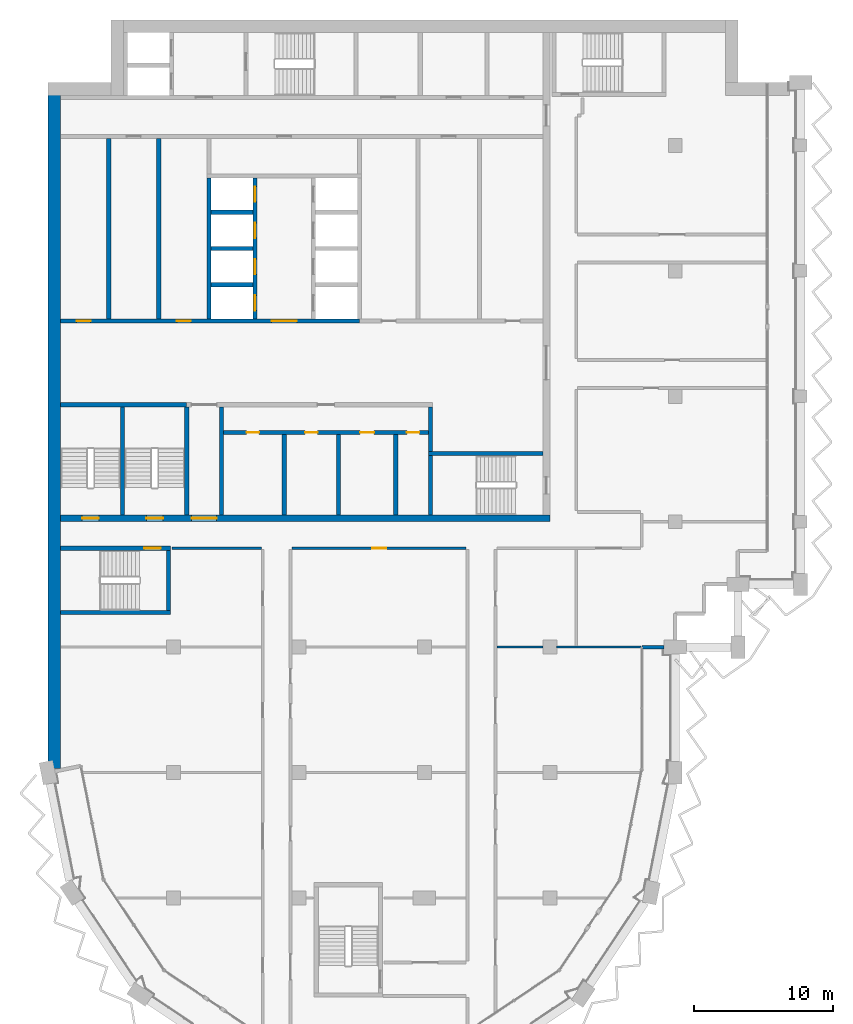
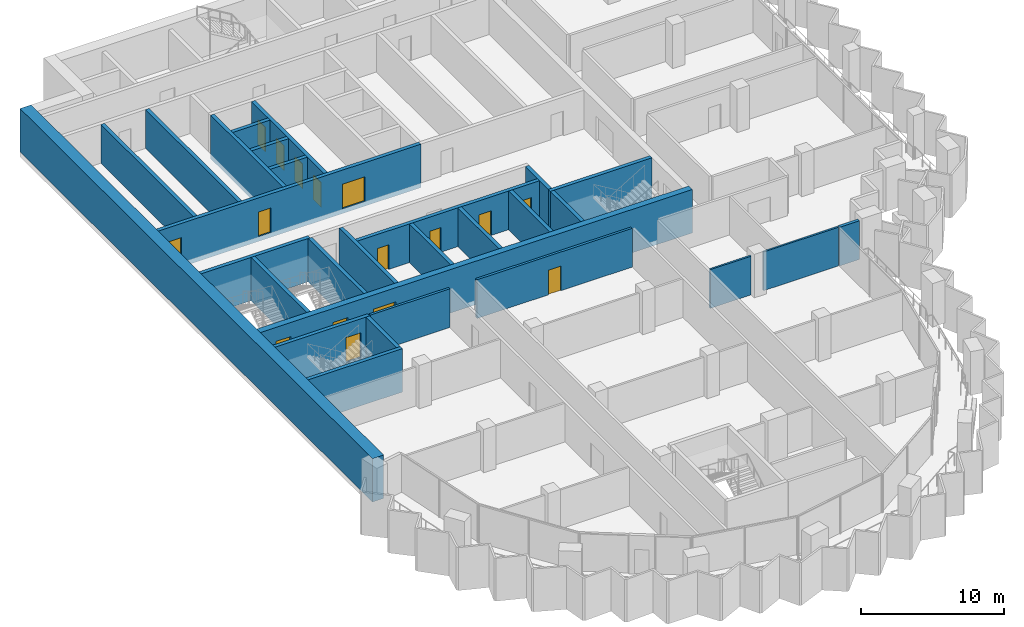
# One storey, part 8 of 16: 29 walls, 16 doors, 16 openings.
"""IFC4 building model written with IfcOpenShell, lengths in metres."""

from ifc_helpers import new_model, si_unit, direction, frame, frame_2d, origin, place, context, subcontext, project, spatial, rectangle, extrude, material, layer, layer_set, type_object, element, fill, save


model = new_model("IFC4")

# Units and contexts
model_context = context("Model", 3, precision=1e-05, world=origin(), true_north=direction((0.0, 1.0)))
body_context = subcontext(model_context, "Body", "Model", "MODEL_VIEW")
ifc_project = project(units=[si_unit("LENGTHUNIT", "METRE"), si_unit("AREAUNIT", "SQUARE_METRE"), si_unit("VOLUMEUNIT", "CUBIC_METRE"), si_unit("PLANEANGLEUNIT", "RADIAN"), si_unit("MASSUNIT", "GRAM", prefix="KILO")], contexts=[model_context])

# Site, building, storey
site_placement = place(None, origin())
site = spatial("IfcSite", under=ifc_project, at=site_placement, CompositionType="ELEMENT")
building_placement = place(site_placement, origin())
building = spatial("IfcBuilding", under=site, at=building_placement, Name="Hunhe Ridgeline Campus", CompositionType="ELEMENT")
storey_placement = place(building_placement, frame((0.0, 0.0, 246.60009765625)))
storey = spatial("IfcBuildingStorey", under=building, at=storey_placement, Name="L63", CompositionType="ELEMENT", Elevation=246.60009765625)

# Wall, openings, doors
ifc_material_1 = material(Name="Masonry concrete blockwork", Category="masonry")
ifc_layer_1 = layer(ifc_material_1, 0.300048828125)
ifc_layer_set_1 = layer_set([ifc_layer_1], Name="Core room partition 300 concrete block")
wall_type_1 = type_object("IfcWallType", Name="Core room partition 300 concrete block", PredefinedType="PARTITIONING", material=ifc_layer_set_1)
wall_1_placement = place(storey_placement, frame((12.60009765625, 69.39990234375, 0.0), z_axis=(0.0, 0.0, 1.0), x_axis=(1.0, 0.0, 0.0)))
wall_1 = element("IfcWall", 1, at=wall_1_placement, inside=storey, type_object=wall_type_1, Name="L63 core partition 7", PredefinedType="PARTITIONING", context=body_context, shape_type="SweptSolid", body=[
    extrude(rectangle(XDim=14.699951171875, YDim=0.300048828125, at=frame_2d((7.35009765625, 0.0))), origin(), (0.0, 0.0, 1.0), 3.2998046875),
])
opening_1_placement = place(wall_1_placement, frame((1.64990234375, 0.0, 0.0)))
opening_1 = element("IfcOpeningElement", 2, at=opening_1_placement, cuts=wall_1, Name="Opening CD8", PredefinedType="OPENING", context=body_context, shape_type="SweptSolid", body=[
    extrude(rectangle(XDim=0.89990234375, YDim=2.10009765625, at=frame_2d((0.449951171875, 1.050048828125))), frame((0.0, 0.14990234375, 0.0), z_axis=(0.0, -1.0, 0.0), x_axis=(1.0, 0.0, 0.0)), (0.0, 0.0, 1.0), 0.300048828125),
])
opening_2_placement = place(wall_1_placement, frame((5.85009765625, 0.0, 0.0)))
opening_2 = element("IfcOpeningElement", 3, at=opening_2_placement, cuts=wall_1, Name="Opening CD9", PredefinedType="OPENING", context=body_context, shape_type="SweptSolid", body=[
    extrude(rectangle(XDim=0.89990234375, YDim=2.10009765625, at=frame_2d((0.449951171875, 1.050048828125))), frame((0.0, 0.14990234375, 0.0), z_axis=(0.0, -1.0, 0.0), x_axis=(1.0, 0.0, 0.0)), (0.0, 0.0, 1.0), 0.300048828125),
])
opening_3_placement = place(wall_1_placement, frame((9.800048828125, 0.0, 0.0)))
opening_3 = element("IfcOpeningElement", 4, at=opening_3_placement, cuts=wall_1, Name="Opening CD10", PredefinedType="OPENING", context=body_context, shape_type="SweptSolid", body=[
    extrude(rectangle(XDim=1.0, YDim=2.10009765625, at=frame_2d((0.5, 1.050048828125))), frame((0.0, 0.14990234375, 0.0), z_axis=(0.0, -1.0, 0.0), x_axis=(1.0, 0.0, 0.0)), (0.0, 0.0, 1.0), 0.300048828125),
])
opening_4_placement = place(wall_1_placement, frame((13.14990234375, 0.0, 0.0)))
opening_4 = element("IfcOpeningElement", 5, at=opening_4_placement, cuts=wall_1, Name="Opening CD11", PredefinedType="OPENING", context=body_context, shape_type="SweptSolid", body=[
    extrude(rectangle(XDim=0.89990234375, YDim=2.10009765625, at=frame_2d((0.449951171875, 1.050048828125))), frame((0.0, 0.14990234375, 0.0), z_axis=(0.0, -1.0, 0.0), x_axis=(1.0, 0.0, 0.0)), (0.0, 0.0, 1.0), 0.300048828125),
])
ifc_material_2 = material(Name="Solid core timber door leaf", Category="wood")
door_type_1 = type_object("IfcDoorType", Name="Timber door 1000x2100", OperationType="SINGLE_SWING_LEFT", PredefinedType="DOOR", material=ifc_material_2)
door_1_placement = place(opening_3_placement, frame((1.0, 0.0, 0.0), z_axis=(0.0, 0.0, 1.0), x_axis=(-1.0, 0.0, 0.0)))
door_1 = element("IfcDoor", 6, at=door_1_placement, inside=storey, type_object=door_type_1, Name="L63 door WC3", OperationType="SINGLE_SWING_LEFT", OverallHeight=2.10009765625, OverallWidth=1.0, PredefinedType="DOOR", context=body_context, shape_type="SweptSolid", body=[
    extrude(rectangle(XDim=1.0, YDim=2.10009765625, at=frame_2d((0.5, 1.050048828125))), frame((0.0, 0.02490234375, 0.0), z_axis=(0.0, -1.0, 0.0), x_axis=(1.0, 0.0, 0.0)), (0.0, 0.0, 1.0), 0.050048828125),
])
fill(opening_3, door_1)
door_type_2 = type_object("IfcDoorType", Name="Timber door 900x2100", OperationType="SINGLE_SWING_LEFT", PredefinedType="DOOR", material=ifc_material_2)
door_2_placement = place(opening_1_placement, frame((0.89990234375, 0.0, 0.0), z_axis=(0.0, 0.0, 1.0), x_axis=(-1.0, 0.0, 0.0)))
door_2 = element("IfcDoor", 7, at=door_2_placement, inside=storey, type_object=door_type_2, Name="L63 door WC1", OperationType="SINGLE_SWING_LEFT", OverallHeight=2.10009765625, OverallWidth=0.89990234375, PredefinedType="DOOR", context=body_context, shape_type="SweptSolid", body=[
    extrude(rectangle(XDim=0.89990234375, YDim=2.10009765625, at=frame_2d((0.449951171875, 1.050048828125))), frame((0.0, 0.02490234375, 0.0), z_axis=(0.0, -1.0, 0.0), x_axis=(1.0, 0.0, 0.0)), (0.0, 0.0, 1.0), 0.050048828125),
])
fill(opening_1, door_2)
door_3_placement = place(opening_2_placement, frame((0.89990234375, 0.0, 0.0), z_axis=(0.0, 0.0, 1.0), x_axis=(-1.0, 0.0, 0.0)))
door_3 = element("IfcDoor", 8, at=door_3_placement, inside=storey, type_object=door_type_2, Name="L63 door WC2", OperationType="SINGLE_SWING_RIGHT", OverallHeight=2.10009765625, OverallWidth=0.89990234375, PredefinedType="DOOR", context=body_context, shape_type="SweptSolid", body=[
    extrude(rectangle(XDim=0.89990234375, YDim=2.10009765625, at=frame_2d((0.449951171875, 1.050048828125))), frame((0.0, 0.02490234375, 0.0), z_axis=(0.0, -1.0, 0.0), x_axis=(1.0, 0.0, 0.0)), (0.0, 0.0, 1.0), 0.050048828125),
])
fill(opening_2, door_3)
door_4_placement = place(opening_4_placement, frame((0.89990234375, 0.0, 0.0), z_axis=(0.0, 0.0, 1.0), x_axis=(-1.0, 0.0, 0.0)))
door_4 = element("IfcDoor", 9, at=door_4_placement, inside=storey, type_object=door_type_2, Name="L63 door WC4", OperationType="SINGLE_SWING_RIGHT", OverallHeight=2.10009765625, OverallWidth=0.89990234375, PredefinedType="DOOR", context=body_context, shape_type="SweptSolid", body=[
    extrude(rectangle(XDim=0.89990234375, YDim=2.10009765625, at=frame_2d((0.449951171875, 1.050048828125))), frame((0.0, 0.02490234375, 0.0), z_axis=(0.0, -1.0, 0.0), x_axis=(1.0, 0.0, 0.0)), (0.0, 0.0, 1.0), 0.050048828125),
])
fill(opening_4, door_4)

# Walls
for number, where, z_axis, x_axis, name in (
    (10, (4.35009765625, 77.550048828125, 0.0), (0.0, 0.0, 1.0), (0.0, 1.0, 0.0), "L63 core partition 23"),
    (11, (7.949951171875, 77.550048828125, 0.0), (0.0, 0.0, 1.0), (0.0, 1.0, 0.0), "L63 core partition 26"),
):
    element("IfcWall", number, at=place(storey_placement, frame(where, z_axis=z_axis, x_axis=x_axis)), inside=storey, type_object=wall_type_1, Name=name, PredefinedType="PARTITIONING", context=body_context, shape_type="SweptSolid", body=[
        extrude(rectangle(XDim=12.949951171875, YDim=0.300048828125, at=frame_2d((6.47509765625, 0.0))), origin(), (0.0, 0.0, 1.0), 3.2998046875),
    ])
wall_2_placement = place(storey_placement, frame((12.449951171875, 63.5, 0.0), z_axis=(0.0, 0.0, 1.0), x_axis=(0.0, 1.0, 0.0)))
element("IfcWall", 12, at=wall_2_placement, inside=storey, type_object=wall_type_1, Name="L63 core partition 32", PredefinedType="PARTITIONING", context=body_context, shape_type="SweptSolid", body=[
    extrude(rectangle(XDim=7.75, YDim=0.300048828125, at=frame_2d((3.875, 0.0))), origin(), (0.0, 0.0, 1.0), 3.2998046875),
])
for number, where, z_axis, x_axis, name in (
    (13, (16.949951171875, 63.5, 0.0), (0.0, 0.0, 1.0), (0.0, 1.0, 0.0), "L63 core partition 35"),
    (14, (20.85009765625, 63.5, 0.0), (0.0, 0.0, 1.0), (0.0, 1.0, 0.0), "L63 core partition 38"),
    (15, (24.949951171875, 63.5, 0.0), (0.0, 0.0, 1.0), (0.0, 1.0, 0.0), "L63 core partition 43"),
):
    element("IfcWall", number, at=place(storey_placement, frame(where, z_axis=z_axis, x_axis=x_axis)), inside=storey, type_object=wall_type_1, Name=name, PredefinedType="PARTITIONING", context=body_context, shape_type="SweptSolid", body=[
        extrude(rectangle(XDim=5.75, YDim=0.300048828125, at=frame_2d((2.875, 0.0))), origin(), (0.0, 0.0, 1.0), 3.2998046875),
    ])
wall_3_placement = place(storey_placement, frame((27.449951171875, 68.050048828125, 0.0), z_axis=(0.0, 0.0, 1.0), x_axis=(0.0, 1.0, 0.0)))
element("IfcWall", 16, at=wall_3_placement, inside=storey, type_object=wall_type_1, Name="L63 core partition 47", PredefinedType="PARTITIONING", context=body_context, shape_type="SweptSolid", body=[
    extrude(rectangle(XDim=3.199951171875, YDim=0.300048828125, at=frame_2d((1.60009765625, 0.0))), origin(), (0.0, 0.0, 1.0), 3.2998046875),
])

# Wall, openings, doors
ifc_material_3 = material(Name="Concrete C50", Category="concrete")
ifc_layer_2 = layer(ifc_material_3, 0.5)
ifc_layer_set_2 = layer_set([ifc_layer_2], Name="Core wall 500 reinforced concrete C50")
wall_type_2 = type_object("IfcWallType", Name="Core wall 500 reinforced concrete C50", PredefinedType="SOLIDWALL", material=ifc_layer_set_2)
wall_4_placement = place(storey_placement, frame((0.89990234375, 63.25, -0.400146484375), z_axis=(0.0, 0.0, 1.0), x_axis=(1.0, 0.0, 0.0)))
wall_4 = element("IfcWall", 17, at=wall_4_placement, inside=storey, type_object=wall_type_2, Name="L63 core wall 5", PredefinedType="SOLIDWALL", context=body_context, shape_type="SweptSolid", body=[
    extrude(rectangle(XDim=35.10009765625, YDim=0.5, at=frame_2d((17.550048828125, 0.0))), origin(), (0.0, 0.0, 1.0), 3.699951171875),
])
opening_5_placement = place(wall_4_placement, frame((9.39990234375, 0.0, 0.39990234375)))
opening_5 = element("IfcOpeningElement", 18, at=opening_5_placement, cuts=wall_4, Name="Opening CD6", PredefinedType="OPENING", context=body_context, shape_type="SweptSolid", body=[
    extrude(rectangle(XDim=1.800048828125, YDim=2.10009765625, at=frame_2d((0.89990234375, 1.050048828125))), frame((0.0, 0.25, 0.0), z_axis=(0.0, -1.0, 0.0), x_axis=(1.0, 0.0, 0.0)), (0.0, 0.0, 1.0), 0.5),
])
opening_6_placement = place(wall_4_placement, frame((1.550048828125, 0.0, 0.39990234375)))
opening_6 = element("IfcOpeningElement", 19, at=opening_6_placement, cuts=wall_4, Name="Opening CD13", PredefinedType="OPENING", context=body_context, shape_type="SweptSolid", body=[
    extrude(rectangle(XDim=1.199951171875, YDim=2.10009765625, at=frame_2d((0.60009765625, 1.050048828125))), frame((0.0, 0.25, 0.0), z_axis=(0.0, -1.0, 0.0), x_axis=(1.0, 0.0, 0.0)), (0.0, 0.0, 1.0), 0.5),
])
opening_7_placement = place(wall_4_placement, frame((6.14990234375, 0.0, 0.39990234375)))
opening_7 = element("IfcOpeningElement", 20, at=opening_7_placement, cuts=wall_4, Name="Opening CD14", PredefinedType="OPENING", context=body_context, shape_type="SweptSolid", body=[
    extrude(rectangle(XDim=1.199951171875, YDim=2.10009765625, at=frame_2d((0.60009765625, 1.050048828125))), frame((0.0, 0.25, 0.0), z_axis=(0.0, -1.0, 0.0), x_axis=(1.0, 0.0, 0.0)), (0.0, 0.0, 1.0), 0.5),
])
ifc_material_4 = material(Name="Anodised aluminium and glass", Category="aluminium")
door_type_3 = type_object("IfcDoorType", Name="Glazed double door 1800x2100", OperationType="DOUBLE_DOOR_SINGLE_SWING", PredefinedType="DOOR", material=ifc_material_4)
door_5_placement = place(opening_5_placement, frame((1.800048828125, 0.0, 0.0), z_axis=(0.0, 0.0, 1.0), x_axis=(-1.0, 0.0, 0.0)))
door_5 = element("IfcDoor", 21, at=door_5_placement, inside=storey, type_object=door_type_3, Name="L63 door VEST-FLOOR", OperationType="DOUBLE_DOOR_SINGLE_SWING", OverallHeight=2.10009765625, OverallWidth=1.800048828125, PredefinedType="DOOR", context=body_context, shape_type="SweptSolid", body=[
    extrude(rectangle(XDim=1.800048828125, YDim=2.10009765625, at=frame_2d((0.89990234375, 1.050048828125))), frame((0.0, 0.02490234375, 0.0), z_axis=(0.0, -1.0, 0.0), x_axis=(1.0, 0.0, 0.0)), (0.0, 0.0, 1.0), 0.050048828125),
])
fill(opening_5, door_5)
ifc_material_5 = material(Name="Hollow metal fire door leaf")
door_type_4 = type_object("IfcDoorType", Name="Stair door 1200x2100 FD60", OperationType="SINGLE_SWING_LEFT", PredefinedType="DOOR", material=ifc_material_5)
door_6_placement = place(opening_6_placement, frame((1.199951171875, 0.0, 0.0), z_axis=(0.0, 0.0, 1.0), x_axis=(-1.0, 0.0, 0.0)))
door_6 = element("IfcDoor", 22, at=door_6_placement, inside=storey, type_object=door_type_4, Name="L63 door S3", OperationType="SINGLE_SWING_LEFT", OverallHeight=2.10009765625, OverallWidth=1.199951171875, PredefinedType="DOOR", context=body_context, shape_type="SweptSolid", body=[
    extrude(rectangle(XDim=1.199951171875, YDim=2.10009765625, at=frame_2d((0.60009765625, 1.050048828125))), frame((0.0, 0.02490234375, 0.0), z_axis=(0.0, -1.0, 0.0), x_axis=(1.0, 0.0, 0.0)), (0.0, 0.0, 1.0), 0.050048828125),
])
fill(opening_6, door_6)
door_7_placement = place(opening_7_placement, frame((1.199951171875, 0.0, 0.0), z_axis=(0.0, 0.0, 1.0), x_axis=(-1.0, 0.0, 0.0)))
door_7 = element("IfcDoor", 23, at=door_7_placement, inside=storey, type_object=door_type_4, Name="L63 door S4", OperationType="SINGLE_SWING_RIGHT", OverallHeight=2.10009765625, OverallWidth=1.199951171875, PredefinedType="DOOR", context=body_context, shape_type="SweptSolid", body=[
    extrude(rectangle(XDim=1.199951171875, YDim=2.10009765625, at=frame_2d((0.60009765625, 1.050048828125))), frame((0.0, 0.02490234375, 0.0), z_axis=(0.0, -1.0, 0.0), x_axis=(1.0, 0.0, 0.0)), (0.0, 0.0, 1.0), 0.050048828125),
])
fill(opening_7, door_7)

# Walls
ifc_material_6 = material(Name="Concrete C30", Category="concrete")
ifc_layer_3 = layer(ifc_material_6, 0.25)
ifc_layer_set_3 = layer_set([ifc_layer_3], Name="Corner return wall 250 Concrete C30")
wall_type_3 = type_object("IfcWallType", Name="Corner return wall 250 Concrete C30", PredefinedType="SOLIDWALL", material=ifc_layer_set_3)
wall_5_placement = place(storey_placement, frame((42.59912109375, 54.00048828125, 0.0), z_axis=(0.0, 0.0, 1.0), x_axis=(0.999999988371, 0.000152508767, 0.0)))
element("IfcWall", 24, at=wall_5_placement, inside=storey, type_object=wall_type_3, Name="Corner return wall 2", PredefinedType="SOLIDWALL", context=body_context, shape_type="SweptSolid", body=[
    extrude(rectangle(XDim=1.600830078125, YDim=0.25, at=frame_2d((0.80029296875, 0.0))), origin(), (0.0, 0.0, 1.0), 3.2998046875),
])
ifc_material_7 = material(Name="Gypsum board partition")
ifc_layer_4 = layer(ifc_material_7, 0.199951171875)
ifc_layer_set_4 = layer_set([ifc_layer_4], Name="Corridor partition 200 gypsum board on steel studs")
wall_type_4 = type_object("IfcWallType", Name="Corridor partition 200 gypsum board on steel studs", PredefinedType="PARTITIONING", material=ifc_layer_set_4)
wall_6_placement = place(storey_placement, frame((15.300048828125, 61.10009765625, 0.0), z_axis=(0.0, 0.0, 1.0), x_axis=(-1.0, 0.0, 0.0)))
element("IfcWall", 25, at=wall_6_placement, inside=storey, type_object=wall_type_4, Name="F-L63-wall-022", PredefinedType="PARTITIONING", context=body_context, shape_type="SweptSolid", body=[
    extrude(rectangle(XDim=6.39599609375, YDim=0.199951171875, at=frame_2d((3.197998046875, 0.0))), origin(), (0.0, 0.0, 1.0), 3.2998046875),
])

# Wall, opening, door
wall_7_placement = place(storey_placement, frame((30.0, 61.10009765625, 0.0), z_axis=(0.0, 0.0, 1.0), x_axis=(-1.0, 0.0, 0.0)))
wall_7 = element("IfcWall", 26, at=wall_7_placement, inside=storey, type_object=wall_type_4, Name="F-L63-wall-023", PredefinedType="PARTITIONING", context=body_context, shape_type="SweptSolid", body=[
    extrude(rectangle(XDim=12.5, YDim=0.199951171875, at=frame_2d((6.25, 0.0))), origin(), (0.0, 0.0, 1.0), 3.2998046875),
])
opening_8_placement = place(wall_7_placement, frame((5.75, 0.0, 0.0)))
opening_8 = element("IfcOpeningElement", 27, at=opening_8_placement, cuts=wall_7, Name="Opening RD1-015", PredefinedType="OPENING", context=body_context, shape_type="SweptSolid", body=[
    extrude(rectangle(XDim=1.0, YDim=2.10009765625, at=frame_2d((0.5, 1.050048828125))), frame((0.0, 0.10009765625, 0.0), z_axis=(0.0, -1.0, 0.0), x_axis=(1.0, 0.0, 0.0)), (0.0, 0.0, 1.0), 0.199951171875),
])
ifc_material_8 = material(Name="Timber door leaf", Category="wood")
door_type_5 = type_object("IfcDoorType", Name="Single fire door 1000x2100 timber FD60", OperationType="NOTDEFINED", PredefinedType="DOOR", material=ifc_material_8)
door_8_placement = place(opening_8_placement, origin())
door_8 = element("IfcDoor", 28, at=door_8_placement, inside=storey, type_object=door_type_5, Name="F-L63-door-015", OperationType="SINGLE_SWING_LEFT", OverallHeight=2.10009765625, OverallWidth=1.0, PredefinedType="DOOR", context=body_context, shape_type="SweptSolid", body=[
    extrude(rectangle(XDim=1.0, YDim=2.10009765625, at=frame_2d((0.5, 1.050048828125))), frame((0.0, 0.02490234375, 0.0), z_axis=(0.0, -1.0, 0.0), x_axis=(1.0, 0.0, 0.0)), (0.0, 0.0, 1.0), 0.050048828125),
])
fill(opening_8, door_8)

# Walls
ifc_layer_5 = layer(ifc_material_7, 0.14990234375)
ifc_layer_set_5 = layer_set([ifc_layer_5], Name="Room partition 150 gypsum board on steel studs")
wall_type_5 = type_object("IfcWallType", Name="Room partition 150 gypsum board on steel studs", PredefinedType="PARTITIONING", material=ifc_layer_set_5)
wall_8_placement = place(storey_placement, frame((32.199951171875, 54.0, 0.0), z_axis=(0.0, 0.0, 1.0), x_axis=(1.0, 0.0, 0.0)))
element("IfcWall", 29, at=wall_8_placement, inside=storey, type_object=wall_type_5, Name="F-L63-wall-020", PredefinedType="PARTITIONING", context=body_context, shape_type="SweptSolid", body=[
    extrude(rectangle(XDim=3.300048828125, YDim=0.14990234375, at=frame_2d((1.64990234375, 0.0))), origin(), (0.0, 0.0, 1.0), 3.2998046875),
])
wall_9_placement = place(storey_placement, frame((36.5, 54.0, 0.0), z_axis=(0.0, 0.0, 1.0), x_axis=(1.0, 0.0, 0.0)))
element("IfcWall", 30, at=wall_9_placement, inside=storey, type_object=wall_type_5, Name="F-L63-wall-021", PredefinedType="PARTITIONING", context=body_context, shape_type="SweptSolid", body=[
    extrude(rectangle(XDim=6.045166015625, YDim=0.14990234375, at=frame_2d((3.0224609375, 0.0))), origin(), (0.0, 0.0, 1.0), 3.2998046875),
])

# Wall, openings, doors
ifc_layer_6 = layer(ifc_material_3, 0.300048828125)
ifc_layer_set_6 = layer_set([ifc_layer_6], Name="Shaft wall 300 reinforced concrete C50")
wall_type_6 = type_object("IfcWallType", Name="Shaft wall 300 reinforced concrete C50", PredefinedType="SOLIDWALL", material=ifc_layer_set_6)
wall_10_placement = place(storey_placement, frame((0.89990234375, 77.39990234375, -0.400146484375), z_axis=(0.0, 0.0, 1.0), x_axis=(1.0, 0.0, 0.0)))
wall_10 = element("IfcWall", 31, at=wall_10_placement, inside=storey, type_object=wall_type_6, Name="L63 core wall 10", PredefinedType="SOLIDWALL", context=body_context, shape_type="SweptSolid", body=[
    extrude(rectangle(XDim=21.4501953125, YDim=0.300048828125, at=frame_2d((10.72509765625, 0.0))), origin(), (0.0, 0.0, 1.0), 3.699951171875),
])
opening_9_placement = place(wall_10_placement, frame((15.14990234375, 0.0, 0.39990234375)))
opening_9 = element("IfcOpeningElement", 32, at=opening_9_placement, cuts=wall_10, Name="Opening CD38", PredefinedType="OPENING", context=body_context, shape_type="SweptSolid", body=[
    extrude(rectangle(XDim=1.800048828125, YDim=2.10009765625, at=frame_2d((0.89990234375, 1.050048828125))), frame((0.0, 0.14990234375, 0.0), z_axis=(0.0, -1.0, 0.0), x_axis=(1.0, 0.0, 0.0)), (0.0, 0.0, 1.0), 0.300048828125),
])
opening_10_placement = place(wall_10_placement, frame((1.14990234375, 0.0, 0.39990234375)))
opening_10 = element("IfcOpeningElement", 33, at=opening_10_placement, cuts=wall_10, Name="Opening CD39", PredefinedType="OPENING", context=body_context, shape_type="SweptSolid", body=[
    extrude(rectangle(XDim=1.0, YDim=2.10009765625, at=frame_2d((0.5, 1.050048828125))), frame((0.0, 0.14990234375, 0.0), z_axis=(0.0, -1.0, 0.0), x_axis=(1.0, 0.0, 0.0)), (0.0, 0.0, 1.0), 0.300048828125),
])
opening_11_placement = place(wall_10_placement, frame((8.35009765625, 0.0, 0.39990234375)))
opening_11 = element("IfcOpeningElement", 34, at=opening_11_placement, cuts=wall_10, Name="Opening CD41", PredefinedType="OPENING", context=body_context, shape_type="SweptSolid", body=[
    extrude(rectangle(XDim=1.0, YDim=2.10009765625, at=frame_2d((0.5, 1.050048828125))), frame((0.0, 0.14990234375, 0.0), z_axis=(0.0, -1.0, 0.0), x_axis=(1.0, 0.0, 0.0)), (0.0, 0.0, 1.0), 0.300048828125),
])
door_type_6 = type_object("IfcDoorType", Name="Lobby door 1800x2100 FD60", OperationType="SINGLE_SWING_LEFT", PredefinedType="DOOR", material=ifc_material_5)
door_9_placement = place(opening_9_placement, frame((1.800048828125, 0.0, 0.0), z_axis=(0.0, 0.0, 1.0), x_axis=(-1.0, 0.0, 0.0)))
door_9 = element("IfcDoor", 35, at=door_9_placement, inside=storey, type_object=door_type_6, Name="L63 door LOB-HR", OperationType="SINGLE_SWING_RIGHT", OverallHeight=2.10009765625, OverallWidth=1.800048828125, PredefinedType="DOOR", context=body_context, shape_type="SweptSolid", body=[
    extrude(rectangle(XDim=1.800048828125, YDim=2.10009765625, at=frame_2d((0.89990234375, 1.050048828125))), frame((0.0, 0.02490234375, 0.0), z_axis=(0.0, -1.0, 0.0), x_axis=(1.0, 0.0, 0.0)), (0.0, 0.0, 1.0), 0.050048828125),
])
fill(opening_9, door_9)
door_10_placement = place(opening_10_placement, origin())
door_10 = element("IfcDoor", 36, at=door_10_placement, inside=storey, type_object=door_type_1, Name="L63 door VD-LR0", OperationType="SINGLE_SWING_RIGHT", OverallHeight=2.10009765625, OverallWidth=1.0, PredefinedType="DOOR", context=body_context, shape_type="SweptSolid", body=[
    extrude(rectangle(XDim=1.0, YDim=2.10009765625, at=frame_2d((0.5, 1.050048828125))), frame((0.0, 0.02490234375, 0.0), z_axis=(0.0, -1.0, 0.0), x_axis=(1.0, 0.0, 0.0)), (0.0, 0.0, 1.0), 0.050048828125),
])
fill(opening_10, door_10)
door_11_placement = place(opening_11_placement, origin())
door_11 = element("IfcDoor", 37, at=door_11_placement, inside=storey, type_object=door_type_1, Name="L63 door VD-LR2", OperationType="SINGLE_SWING_RIGHT", OverallHeight=2.10009765625, OverallWidth=1.0, PredefinedType="DOOR", context=body_context, shape_type="SweptSolid", body=[
    extrude(rectangle(XDim=1.0, YDim=2.10009765625, at=frame_2d((0.5, 1.050048828125))), frame((0.0, 0.02490234375, 0.0), z_axis=(0.0, -1.0, 0.0), x_axis=(1.0, 0.0, 0.0)), (0.0, 0.0, 1.0), 0.050048828125),
])
fill(opening_11, door_11)

# Walls
for number, where, z_axis, x_axis, name in (
    (38, (11.699951171875, 80.0, -0.400146484375), (0.0, 0.0, 1.0), (1.0, 0.0, 0.0), "L63 core wall 12"),
    (39, (11.699951171875, 82.60009765625, -0.400146484375), (0.0, 0.0, 1.0), (1.0, 0.0, 0.0), "L63 core wall 14"),
    (40, (11.699951171875, 85.199951171875, -0.400146484375), (0.0, 0.0, 1.0), (1.0, 0.0, 0.0), "L63 core wall 16"),
):
    element("IfcWall", number, at=place(storey_placement, frame(where, z_axis=z_axis, x_axis=x_axis)), inside=storey, type_object=wall_type_6, Name=name, PredefinedType="SOLIDWALL", context=body_context, shape_type="SweptSolid", body=[
        extrude(rectangle(XDim=3.0, YDim=0.300048828125, at=frame_2d((1.5, 0.0))), origin(), (0.0, 0.0, 1.0), 3.699951171875),
    ])
wall_11_placement = place(storey_placement, frame((11.550048828125, 77.550048828125, -0.400146484375), z_axis=(0.0, 0.0, 1.0), x_axis=(0.0, 1.0, 0.0)))
element("IfcWall", 41, at=wall_11_placement, inside=storey, type_object=wall_type_6, Name="L63 core wall 30", PredefinedType="SOLIDWALL", context=body_context, shape_type="SweptSolid", body=[
    extrude(rectangle(XDim=10.099853515625, YDim=0.300048828125, at=frame_2d((5.0498046875, 0.0))), origin(), (0.0, 0.0, 1.0), 3.699951171875),
])

# Wall, openings, doors
wall_12_placement = place(storey_placement, frame((14.85009765625, 77.550048828125, -0.400146484375), z_axis=(0.0, 0.0, 1.0), x_axis=(0.0, 1.0, 0.0)))
wall_12 = element("IfcWall", 42, at=wall_12_placement, inside=storey, type_object=wall_type_6, Name="L63 core wall 34", PredefinedType="SOLIDWALL", context=body_context, shape_type="SweptSolid", body=[
    extrude(rectangle(XDim=10.099853515625, YDim=0.300048828125, at=frame_2d((5.0498046875, 0.0))), origin(), (0.0, 0.0, 1.0), 3.699951171875),
])
opening_12_placement = place(wall_12_placement, frame((0.60009765625, 0.0, 0.39990234375)))
opening_12 = element("IfcOpeningElement", 43, at=opening_12_placement, cuts=wall_12, Name="Opening LD-HR1", PredefinedType="OPENING", context=body_context, shape_type="SweptSolid", body=[
    extrude(rectangle(XDim=1.10009765625, YDim=2.10009765625, at=frame_2d((0.550048828125, 1.050048828125))), frame((0.0, 0.14990234375, 0.0), z_axis=(0.0, -1.0, 0.0), x_axis=(1.0, 0.0, 0.0)), (0.0, 0.0, 1.0), 0.300048828125),
])
opening_13_placement = place(wall_12_placement, frame((3.199951171875, 0.0, 0.39990234375)))
opening_13 = element("IfcOpeningElement", 44, at=opening_13_placement, cuts=wall_12, Name="Opening LD-HR2", PredefinedType="OPENING", context=body_context, shape_type="SweptSolid", body=[
    extrude(rectangle(XDim=1.10009765625, YDim=2.10009765625, at=frame_2d((0.550048828125, 1.050048828125))), frame((0.0, 0.14990234375, 0.0), z_axis=(0.0, -1.0, 0.0), x_axis=(1.0, 0.0, 0.0)), (0.0, 0.0, 1.0), 0.300048828125),
])
opening_14_placement = place(wall_12_placement, frame((5.800048828125, 0.0, 0.39990234375)))
opening_14 = element("IfcOpeningElement", 45, at=opening_14_placement, cuts=wall_12, Name="Opening LD-HR3", PredefinedType="OPENING", context=body_context, shape_type="SweptSolid", body=[
    extrude(rectangle(XDim=1.10009765625, YDim=2.10009765625, at=frame_2d((0.550048828125, 1.050048828125))), frame((0.0, 0.14990234375, 0.0), z_axis=(0.0, -1.0, 0.0), x_axis=(1.0, 0.0, 0.0)), (0.0, 0.0, 1.0), 0.300048828125),
])
opening_15_placement = place(wall_12_placement, frame((8.39990234375, 0.0, 0.39990234375)))
opening_15 = element("IfcOpeningElement", 46, at=opening_15_placement, cuts=wall_12, Name="Opening LD-HR4", PredefinedType="OPENING", context=body_context, shape_type="SweptSolid", body=[
    extrude(rectangle(XDim=1.10009765625, YDim=2.10009765625, at=frame_2d((0.550048828125, 1.050048828125))), frame((0.0, 0.14990234375, 0.0), z_axis=(0.0, -1.0, 0.0), x_axis=(1.0, 0.0, 0.0)), (0.0, 0.0, 1.0), 0.300048828125),
])
ifc_material_9 = material(Name="Stainless steel sliding leaves", Category="steel")
door_type_7 = type_object("IfcDoorType", Name="Landing door 1100x2100 FD120", OperationType="SLIDING_TO_LEFT", PredefinedType="DOOR", material=ifc_material_9)
door_12_placement = place(opening_12_placement, origin())
door_12 = element("IfcDoor", 47, at=door_12_placement, inside=storey, type_object=door_type_7, Name="L63 landing door HR1", OperationType="SLIDING_TO_RIGHT", OverallHeight=2.10009765625, OverallWidth=1.10009765625, PredefinedType="DOOR", context=body_context, shape_type="SweptSolid", body=[
    extrude(rectangle(XDim=1.10009765625, YDim=2.10009765625, at=frame_2d((0.550048828125, 1.050048828125))), frame((0.0, 0.02490234375, 0.0), z_axis=(0.0, -1.0, 0.0), x_axis=(1.0, 0.0, 0.0)), (0.0, 0.0, 1.0), 0.050048828125),
])
fill(opening_12, door_12)
door_13_placement = place(opening_13_placement, origin())
door_13 = element("IfcDoor", 48, at=door_13_placement, inside=storey, type_object=door_type_7, Name="L63 landing door HR2", OperationType="SLIDING_TO_LEFT", OverallHeight=2.10009765625, OverallWidth=1.10009765625, PredefinedType="DOOR", context=body_context, shape_type="SweptSolid", body=[
    extrude(rectangle(XDim=1.10009765625, YDim=2.10009765625, at=frame_2d((0.550048828125, 1.050048828125))), frame((0.0, 0.02490234375, 0.0), z_axis=(0.0, -1.0, 0.0), x_axis=(1.0, 0.0, 0.0)), (0.0, 0.0, 1.0), 0.050048828125),
])
fill(opening_13, door_13)
door_14_placement = place(opening_14_placement, origin())
door_14 = element("IfcDoor", 49, at=door_14_placement, inside=storey, type_object=door_type_7, Name="L63 landing door HR3", OperationType="SLIDING_TO_RIGHT", OverallHeight=2.10009765625, OverallWidth=1.10009765625, PredefinedType="DOOR", context=body_context, shape_type="SweptSolid", body=[
    extrude(rectangle(XDim=1.10009765625, YDim=2.10009765625, at=frame_2d((0.550048828125, 1.050048828125))), frame((0.0, 0.02490234375, 0.0), z_axis=(0.0, -1.0, 0.0), x_axis=(1.0, 0.0, 0.0)), (0.0, 0.0, 1.0), 0.050048828125),
])
fill(opening_14, door_14)
door_15_placement = place(opening_15_placement, origin())
door_15 = element("IfcDoor", 50, at=door_15_placement, inside=storey, type_object=door_type_7, Name="L63 landing door HR4", OperationType="SLIDING_TO_LEFT", OverallHeight=2.10009765625, OverallWidth=1.10009765625, PredefinedType="DOOR", context=body_context, shape_type="SweptSolid", body=[
    extrude(rectangle(XDim=1.10009765625, YDim=2.10009765625, at=frame_2d((0.550048828125, 1.050048828125))), frame((0.0, 0.02490234375, 0.0), z_axis=(0.0, -1.0, 0.0), x_axis=(1.0, 0.0, 0.0)), (0.0, 0.0, 1.0), 0.050048828125),
])
fill(opening_15, door_15)

# Walls
ifc_material_10 = material(Name="Concrete C60", Category="concrete")
ifc_layer_7 = layer(ifc_material_10, 0.89990234375)
ifc_layer_set_7 = layer_set([ifc_layer_7], Name="Spine wall 900 Concrete C60")
wall_type_7 = type_object("IfcWallType", Name="Spine wall 900 Concrete C60", PredefinedType="SHEAR", material=ifc_layer_set_7)
wall_13_placement = place(storey_placement, frame((0.449951171875, 94.5, 0.0), z_axis=(0.0, 0.0, 1.0), x_axis=(0.0, -1.0, 0.0)))
element("IfcWall", 51, at=wall_13_placement, inside=storey, type_object=wall_type_7, Name="Spine wall SW3-1 L63", PredefinedType="SHEAR", context=body_context, shape_type="SweptSolid", body=[
    extrude(rectangle(XDim=49.199462890625, YDim=0.89990234375, at=frame_2d((24.599609375, 0.0))), origin(), (0.0, 0.0, 1.0), 3.699951171875),
])
ifc_layer_8 = layer(ifc_material_3, 0.300048828125)
ifc_layer_set_8 = layer_set([ifc_layer_8], Name="Stair wall 300 reinforced concrete C50")
wall_type_8 = type_object("IfcWallType", Name="Stair wall 300 reinforced concrete C50", PredefinedType="SOLIDWALL", material=ifc_layer_set_8)
wall_14_placement = place(storey_placement, frame((0.89990234375, 56.5, -0.400146484375), z_axis=(0.0, 0.0, 1.0), x_axis=(1.0, 0.0, 0.0)))
element("IfcWall", 52, at=wall_14_placement, inside=storey, type_object=wall_type_8, Name="L63 core wall 3", PredefinedType="SOLIDWALL", context=body_context, shape_type="SweptSolid", body=[
    extrude(rectangle(XDim=7.900146484375, YDim=0.300048828125, at=frame_2d((3.9501953125, 0.0))), origin(), (0.0, 0.0, 1.0), 3.699951171875),
])

# Wall, opening, door
wall_15_placement = place(storey_placement, frame((0.89990234375, 61.10009765625, -0.400146484375), z_axis=(0.0, 0.0, 1.0), x_axis=(1.0, 0.0, 0.0)))
wall_15 = element("IfcWall", 53, at=wall_15_placement, inside=storey, type_object=wall_type_8, Name="L63 core wall 4", PredefinedType="SOLIDWALL", context=body_context, shape_type="SweptSolid", body=[
    extrude(rectangle(XDim=7.900146484375, YDim=0.300048828125, at=frame_2d((3.9501953125, 0.0))), origin(), (0.0, 0.0, 1.0), 3.699951171875),
])
opening_16_placement = place(wall_15_placement, frame((6.0, 0.0, 0.39990234375)))
opening_16 = element("IfcOpeningElement", 54, at=opening_16_placement, cuts=wall_15, Name="Opening CD22", PredefinedType="OPENING", context=body_context, shape_type="SweptSolid", body=[
    extrude(rectangle(XDim=1.199951171875, YDim=2.10009765625, at=frame_2d((0.60009765625, 1.050048828125))), frame((0.0, 0.14990234375, 0.0), z_axis=(0.0, -1.0, 0.0), x_axis=(1.0, 0.0, 0.0)), (0.0, 0.0, 1.0), 0.300048828125),
])
door_16_placement = place(opening_16_placement, origin())
door_16 = element("IfcDoor", 55, at=door_16_placement, inside=storey, type_object=door_type_4, Name="L63 door W2", OperationType="SINGLE_SWING_LEFT", OverallHeight=2.10009765625, OverallWidth=1.199951171875, PredefinedType="DOOR", context=body_context, shape_type="SweptSolid", body=[
    extrude(rectangle(XDim=1.199951171875, YDim=2.10009765625, at=frame_2d((0.60009765625, 1.050048828125))), frame((0.0, 0.02490234375, 0.0), z_axis=(0.0, -1.0, 0.0), x_axis=(1.0, 0.0, 0.0)), (0.0, 0.0, 1.0), 0.050048828125),
])
fill(opening_16, door_16)

# Walls
wall_16_placement = place(storey_placement, frame((27.300048828125, 67.89990234375, -0.400146484375), z_axis=(0.0, 0.0, 1.0), x_axis=(1.0, 0.0, 0.0)))
element("IfcWall", 56, at=wall_16_placement, inside=storey, type_object=wall_type_8, Name="L63 core wall 6", PredefinedType="SOLIDWALL", context=body_context, shape_type="SweptSolid", body=[
    extrude(rectangle(XDim=8.199951171875, YDim=0.300048828125, at=frame_2d((4.10009765625, 0.0))), origin(), (0.0, 0.0, 1.0), 3.699951171875),
])
wall_17_placement = place(storey_placement, frame((0.89990234375, 71.39990234375, -0.400146484375), z_axis=(0.0, 0.0, 1.0), x_axis=(1.0, 0.0, 0.0)))
element("IfcWall", 57, at=wall_17_placement, inside=storey, type_object=wall_type_8, Name="L63 core wall 8", PredefinedType="SOLIDWALL", context=body_context, shape_type="SweptSolid", body=[
    extrude(rectangle(XDim=9.050048828125, YDim=0.300048828125, at=frame_2d((4.52490234375, 0.0))), origin(), (0.0, 0.0, 1.0), 3.699951171875),
])
wall_18_placement = place(storey_placement, frame((5.35009765625, 63.5, -0.400146484375), z_axis=(0.0, 0.0, 1.0), x_axis=(0.0, 1.0, 0.0)))
element("IfcWall", 58, at=wall_18_placement, inside=storey, type_object=wall_type_8, Name="L63 core wall 24", PredefinedType="SOLIDWALL", context=body_context, shape_type="SweptSolid", body=[
    extrude(rectangle(XDim=7.75, YDim=0.300048828125, at=frame_2d((3.875, 0.0))), origin(), (0.0, 0.0, 1.0), 3.699951171875),
])
wall_19_placement = place(storey_placement, frame((8.64990234375, 56.64990234375, -0.400146484375), z_axis=(0.0, 0.0, 1.0), x_axis=(0.0, 1.0, 0.0)))
element("IfcWall", 59, at=wall_19_placement, inside=storey, type_object=wall_type_8, Name="L63 core wall 27", PredefinedType="SOLIDWALL", context=body_context, shape_type="SweptSolid", body=[
    extrude(rectangle(XDim=4.300048828125, YDim=0.300048828125, at=frame_2d((2.14990234375, 0.0))), origin(), (0.0, 0.0, 1.0), 3.699951171875),
])
wall_20_placement = place(storey_placement, frame((9.949951171875, 63.5, -0.400146484375), z_axis=(0.0, 0.0, 1.0), x_axis=(0.0, 1.0, 0.0)))
element("IfcWall", 60, at=wall_20_placement, inside=storey, type_object=wall_type_8, Name="L63 core wall 29", PredefinedType="SOLIDWALL", context=body_context, shape_type="SweptSolid", body=[
    extrude(rectangle(XDim=7.75, YDim=0.300048828125, at=frame_2d((3.875, 0.0))), origin(), (0.0, 0.0, 1.0), 3.699951171875),
])
wall_21_placement = place(storey_placement, frame((27.449951171875, 63.5, -0.400146484375), z_axis=(0.0, 0.0, 1.0), x_axis=(0.0, 1.0, 0.0)))
element("IfcWall", 61, at=wall_21_placement, inside=storey, type_object=wall_type_8, Name="L63 core wall 46", PredefinedType="SOLIDWALL", context=body_context, shape_type="SweptSolid", body=[
    extrude(rectangle(XDim=4.25, YDim=0.300048828125, at=frame_2d((2.125, 0.0))), origin(), (0.0, 0.0, 1.0), 3.699951171875),
])

save(model, "model.ifc")
